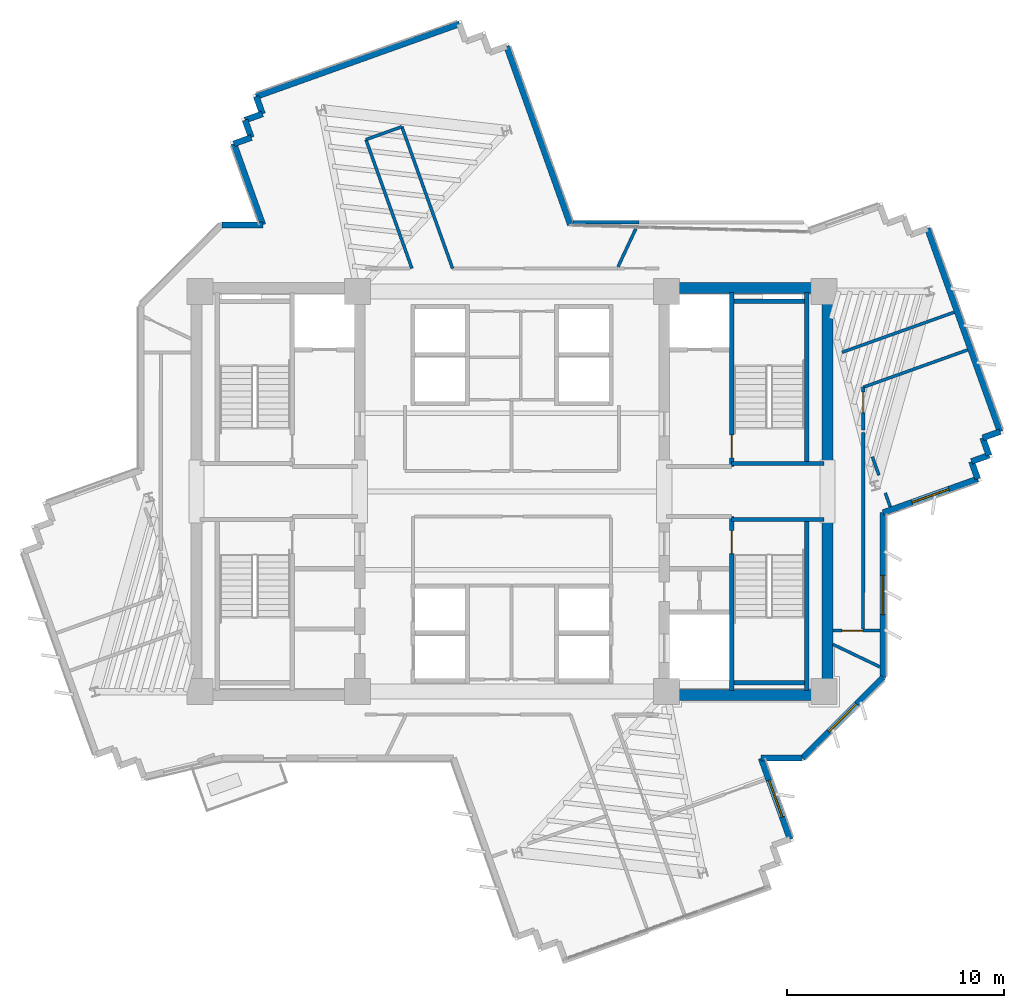
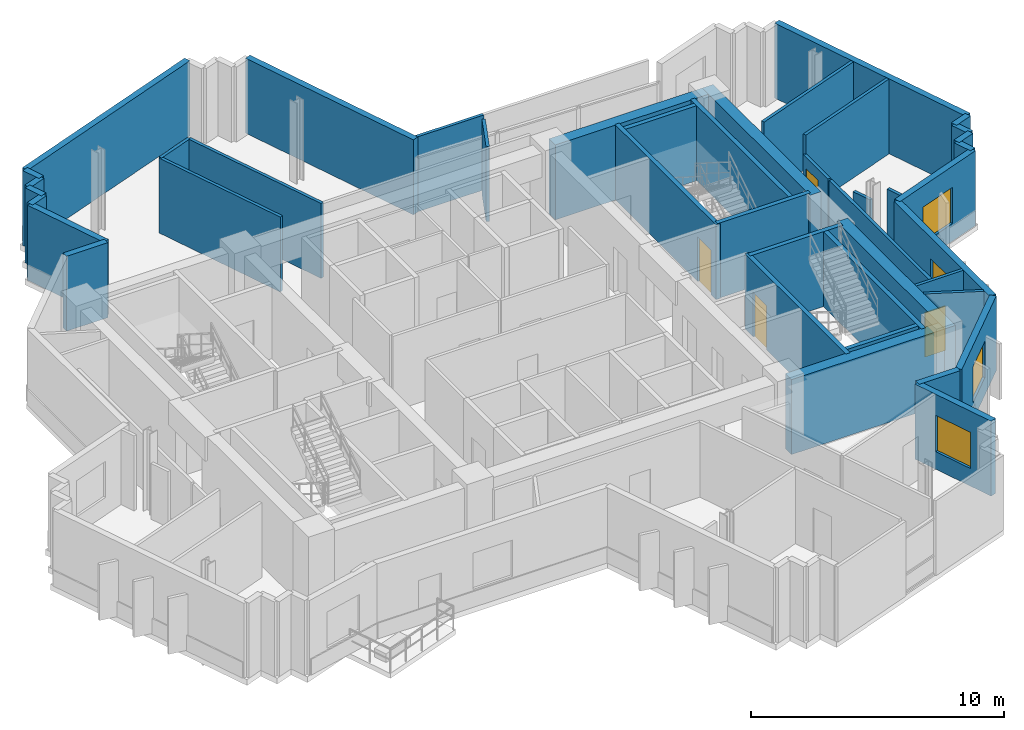
# One storey, part 9 of 13: 43 walls, 4 doors, 4 windows, 8 openings.
"""IFC4 building model written with IfcOpenShell, lengths in metres."""

from ifc_helpers import new_model, si_unit, direction, frame, frame_2d, origin, place, context, subcontext, project, spatial, rectangle, extrude, source, transform, mapped, material, layer, layer_set, type_object, element, fill, save


model = new_model("IFC4")

# Units and contexts
model_context = context("Model", 3, precision=1e-05, world=origin(), true_north=direction((0.0, 1.0)))
body_context = subcontext(model_context, "Body", "Model", "MODEL_VIEW")
ifc_project = project(units=[si_unit("LENGTHUNIT", "METRE"), si_unit("AREAUNIT", "SQUARE_METRE"), si_unit("VOLUMEUNIT", "CUBIC_METRE"), si_unit("PLANEANGLEUNIT", "RADIAN"), si_unit("MASSUNIT", "GRAM", prefix="KILO")], contexts=[model_context])

# Site, building, storey
site_placement = place(None, origin())
site = spatial("IfcSite", under=ifc_project, at=site_placement, CompositionType="ELEMENT")
building_placement = place(site_placement, origin())
building = spatial("IfcBuilding", under=site, at=building_placement, Name="Zahravan Cultural Tower", CompositionType="ELEMENT")
storey_placement = place(building_placement, frame((0.0, 0.0, 221.39990234375)))
storey = spatial("IfcBuildingStorey", under=building, at=storey_placement, Name="L52", CompositionType="ELEMENT", Elevation=221.39990234375)

# Wall, opening, window
ifc_material_1 = material(Name="Precast concrete C40/50", Category="concrete")
ifc_layer_1 = layer(ifc_material_1, 0.280029296875)
ifc_layer_set_1 = layer_set([ifc_layer_1], Name="Precast concrete C40/50")
wall_type_1 = type_object("IfcWallType", Name="EW-TC-280", PredefinedType="SOLIDWALL", material=ifc_layer_set_1)
wall_1_placement = place(storey_placement, frame((57.413818359375, 27.58056640625, 0.0), z_axis=(0.0, 0.0, 1.0), x_axis=(-0.941673795185, -0.336527062004, 0.0)))
wall_1 = element("IfcWall", 1, at=wall_1_placement, inside=storey, type_object=wall_type_1, Name="L52 Exterior Masonry Frame Wall 11", PredefinedType="SOLIDWALL", context=body_context, shape_type="SweptSolid", body=[
    extrude(rectangle(XDim=4.62353515625, YDim=0.280029296875, at=frame_2d((2.311767578125, 0.0))), origin(), (0.0, 0.0, 1.0), 3.6201171875),
])
opening_1_placement = place(wall_1_placement, frame((1.412109375, 0.0, 0.85009765625)))
opening_1 = element("IfcOpeningElement", 2, at=opening_1_placement, cuts=wall_1, Name="Opening WN-02", PredefinedType="OPENING", context=body_context, shape_type="SweptSolid", body=[
    extrude(rectangle(XDim=1.800048828125, YDim=1.75, at=frame_2d((0.89990234375, 0.875))), frame((0.0, 0.14990234375, 0.0), z_axis=(0.0, -1.0, 0.0), x_axis=(1.0, 0.0, 0.0)), (0.0, 0.0, 1.0), 0.300048828125),
])
ifc_material_2 = material(Name="Low-E solar-control double glazing", Category="glass")
window_type = type_object("IfcWindowType", Name="WN-REC-1800X1750", PartitioningType="DOUBLE_PANEL_VERTICAL", PredefinedType="WINDOW", material=ifc_material_2)
shared_shape_1 = source(origin(), body_context, "Body", "SweptSolid", [
    extrude(rectangle(XDim=1.800048828125, YDim=1.75, at=frame_2d((0.89990234375, 0.875))), frame((0.0, 0.030029296875, 0.0), z_axis=(0.0, -1.0, 0.0), x_axis=(1.0, 0.0, 0.0)), (0.0, 0.0, 1.0), 0.06005859375),
])
window_1_placement = place(opening_1_placement, origin())
window_1 = element("IfcWindow", 3, at=window_1_placement, inside=storey, type_object=window_type, Name="L52 Recessed Solar Window 02", OverallHeight=1.75, OverallWidth=1.800048828125, PartitioningType="DOUBLE_PANEL_VERTICAL", PredefinedType="WINDOW", context=body_context, shape_type="MappedRepresentation", body=[
    mapped(shared_shape_1, transform((0.0, 0.0, 0.0), x_axis=(1.0, 0.0, 0.0), y_axis=(0.0, 1.0, 0.0), z_axis=(0.0, 0.0, 1.0), scale=1.0)),
])
fill(opening_1, window_1)

wall_2_placement = place(storey_placement, frame((53.06005859375, 26.024658203125, 0.0), z_axis=(0.0, 0.0, 1.0), x_axis=(0.0, -1.0, 0.0)))
wall_2 = element("IfcWall", 4, at=wall_2_placement, inside=storey, type_object=wall_type_1, Name="L52 Exterior Masonry Frame Wall 12", PredefinedType="SOLIDWALL", context=body_context, shape_type="SweptSolid", body=[
    extrude(rectangle(XDim=7.566650390625, YDim=0.280029296875, at=frame_2d((3.783203125, 0.0))), origin(), (0.0, 0.0, 1.0), 3.6201171875),
])
opening_2_placement = place(wall_2_placement, frame((2.883056640625, 0.0, 0.85009765625)))
opening_2 = element("IfcOpeningElement", 5, at=opening_2_placement, cuts=wall_2, Name="Opening WN-02", PredefinedType="OPENING", context=body_context, shape_type="SweptSolid", body=[
    extrude(rectangle(XDim=1.800048828125, YDim=1.75, at=frame_2d((0.89990234375, 0.875))), frame((0.0, 0.14990234375, 0.0), z_axis=(0.0, -1.0, 0.0), x_axis=(1.0, 0.0, 0.0)), (0.0, 0.0, 1.0), 0.300048828125),
])
window_2_placement = place(opening_2_placement, origin())
window_2 = element("IfcWindow", 6, at=window_2_placement, inside=storey, type_object=window_type, Name="L52 Recessed Solar Window 03", OverallHeight=1.75, OverallWidth=1.800048828125, PartitioningType="DOUBLE_PANEL_VERTICAL", PredefinedType="WINDOW", context=body_context, shape_type="MappedRepresentation", body=[
    mapped(shared_shape_1, transform((0.0, 0.0, 0.0), x_axis=(1.0, 0.0, 0.0), y_axis=(0.0, 1.0, 0.0), z_axis=(0.0, 0.0, 1.0), scale=1.0)),
])
fill(opening_2, window_2)

wall_3_placement = place(storey_placement, frame((53.06005859375, 18.4580078125, 0.0), z_axis=(0.0, 0.0, 1.0), x_axis=(-0.707106781187, -0.707106781187, 0.0)))
wall_3 = element("IfcWall", 7, at=wall_3_placement, inside=storey, type_object=wall_type_1, Name="L52 Exterior Masonry Frame Wall 13", PredefinedType="SOLIDWALL", context=body_context, shape_type="SweptSolid", body=[
    extrude(rectangle(XDim=5.258056640625, YDim=0.280029296875, at=frame_2d((2.62890625, 0.0))), origin(), (0.0, 0.0, 1.0), 3.6201171875),
])
opening_3_placement = place(wall_3_placement, frame((1.72900390625, 0.0, 0.85009765625)))
opening_3 = element("IfcOpeningElement", 8, at=opening_3_placement, cuts=wall_3, Name="Opening WN-02", PredefinedType="OPENING", context=body_context, shape_type="SweptSolid", body=[
    extrude(rectangle(XDim=1.800048828125, YDim=1.75, at=frame_2d((0.89990234375, 0.875))), frame((0.0, 0.14990234375, 0.0), z_axis=(0.0, -1.0, 0.0), x_axis=(1.0, 0.0, 0.0)), (0.0, 0.0, 1.0), 0.300048828125),
])
window_3_placement = place(opening_3_placement, origin())
window_3 = element("IfcWindow", 9, at=window_3_placement, inside=storey, type_object=window_type, Name="L52 Recessed Solar Window 04", OverallHeight=1.75, OverallWidth=1.800048828125, PartitioningType="DOUBLE_PANEL_VERTICAL", PredefinedType="WINDOW", context=body_context, shape_type="MappedRepresentation", body=[
    mapped(shared_shape_1, transform((0.0, 0.0, 0.0), x_axis=(1.0, 0.0, 0.0), y_axis=(0.0, 1.0, 0.0), z_axis=(0.0, 0.0, 1.0), scale=1.0)),
])
fill(opening_3, window_3)

wall_4_placement = place(storey_placement, frame((47.4541015625, 14.739990234375, 0.0), z_axis=(0.0, 0.0, 1.0), x_axis=(0.336590223561, -0.941651220677, 0.0)))
wall_4 = element("IfcWall", 10, at=wall_4_placement, inside=storey, type_object=wall_type_1, Name="L52 Exterior Masonry Frame Wall 15", PredefinedType="SOLIDWALL", context=body_context, shape_type="SweptSolid", body=[
    extrude(rectangle(XDim=3.96044921875, YDim=0.280029296875, at=frame_2d((1.980224609375, 0.0))), origin(), (0.0, 0.0, 1.0), 3.6201171875),
])
opening_4_placement = place(wall_4_placement, frame((1.080078125, 0.0, 0.85009765625)))
opening_4 = element("IfcOpeningElement", 11, at=opening_4_placement, cuts=wall_4, Name="Opening WN-02", PredefinedType="OPENING", context=body_context, shape_type="SweptSolid", body=[
    extrude(rectangle(XDim=1.800048828125, YDim=1.75, at=frame_2d((0.89990234375, 0.875))), frame((0.0, 0.14990234375, 0.0), z_axis=(0.0, -1.0, 0.0), x_axis=(1.0, 0.0, 0.0)), (0.0, 0.0, 1.0), 0.300048828125),
])
window_4_placement = place(opening_4_placement, origin())
window_4 = element("IfcWindow", 12, at=window_4_placement, inside=storey, type_object=window_type, Name="L52 Recessed Solar Window 05", OverallHeight=1.75, OverallWidth=1.800048828125, PartitioningType="DOUBLE_PANEL_VERTICAL", PredefinedType="WINDOW", context=body_context, shape_type="MappedRepresentation", body=[
    mapped(shared_shape_1, transform((0.0, 0.0, 0.0), x_axis=(1.0, 0.0, 0.0), y_axis=(0.0, 1.0, 0.0), z_axis=(0.0, 0.0, 1.0), scale=1.0)),
])
fill(opening_4, window_4)

# Wall, opening, door
ifc_material_3 = material(Name="Gypsum plasterboard partition")
ifc_layer_2 = layer(ifc_material_3, 0.139892578125)
ifc_layer_set_2 = layer_set([ifc_layer_2], Name="Gypsum plasterboard partition")
wall_type_2 = type_object("IfcWallType", Name="W-PART-140", PredefinedType="PARTITIONING", material=ifc_layer_set_2)
wall_5_placement = place(storey_placement, frame((50.7548828125, 20.60009765625, 0.0), z_axis=(0.0, 0.0, 1.0), x_axis=(0.999994277874, 0.003382930575, 0.0)))
wall_5 = element("IfcWall", 13, at=wall_5_placement, inside=storey, type_object=wall_type_2, Name="L52 Interior Wall 073", PredefinedType="PARTITIONING", context=body_context, shape_type="SweptSolid", body=[
    extrude(rectangle(XDim=2.1650390625, YDim=0.139892578125, at=frame_2d((1.08251953125, 0.0))), origin(), (0.0, 0.0, 1.0), 3.6201171875),
])
opening_5_placement = place(wall_5_placement, frame((0.42529296875, 0.0, 0.0)))
opening_5 = element("IfcOpeningElement", 14, at=opening_5_placement, cuts=wall_5, Name="Opening D-L52-20", PredefinedType="OPENING", context=body_context, shape_type="SweptSolid", body=[
    extrude(rectangle(XDim=0.949951171875, YDim=2.14990234375, at=frame_2d((0.47509765625, 1.074951171875))), frame((0.0, 0.079833984375, 0.0), z_axis=(0.0, -1.0, 0.0), x_axis=(1.0, 0.0, 0.0)), (0.0, 0.0, 1.0), 0.159912109375),
])
ifc_material_4 = material(Name="Anodised bronze-aluminium mullion", Category="aluminium")
door_type_1 = type_object("IfcDoorType", Name="DR-ROOM-950", OperationType="NOTDEFINED", PredefinedType="DOOR", material=ifc_material_4)
shared_shape_2 = source(origin(), body_context, "Body", "SweptSolid", [
    extrude(rectangle(XDim=0.949951171875, YDim=2.14990234375, at=frame_2d((0.47509765625, 1.074951171875))), frame((0.0, 0.02490234375, 0.0), z_axis=(0.0, -1.0, 0.0), x_axis=(1.0, 0.0, 0.0)), (0.0, 0.0, 1.0), 0.050048828125),
])
door_1_placement = place(opening_5_placement, origin())
door_1 = element("IfcDoor", 15, at=door_1_placement, inside=storey, type_object=door_type_1, Name="L52 Door D-L52-20", OperationType="SINGLE_SWING_LEFT", OverallHeight=2.14990234375, OverallWidth=0.949951171875, PredefinedType="DOOR", context=body_context, shape_type="MappedRepresentation", body=[
    mapped(shared_shape_2, transform((0.0, 0.0, 0.0), x_axis=(1.0, 0.0, 0.0), y_axis=(0.0, 1.0, 0.0), z_axis=(0.0, 0.0, 1.0), scale=1.0)),
])
fill(opening_5, door_1)

wall_6_placement = place(storey_placement, frame((52.14990234375, 29.8291015625, 0.0), z_axis=(0.0, 0.0, 1.0), x_axis=(0.0, 1.0, 0.0)))
wall_6 = element("IfcWall", 16, at=wall_6_placement, inside=storey, type_object=wall_type_2, Name="L52 Interior Wall 093", PredefinedType="PARTITIONING", context=body_context, shape_type="SweptSolid", body=[
    extrude(rectangle(XDim=1.9658203125, YDim=0.139892578125, at=frame_2d((0.98291015625, 0.0))), origin(), (0.0, 0.0, 1.0), 2.693115234375),
])
opening_6_placement = place(wall_6_placement, frame((0.79248046875, 0.0, 0.0)))
opening_6 = element("IfcOpeningElement", 17, at=opening_6_placement, cuts=wall_6, Name="Opening D-L52-21", PredefinedType="OPENING", context=body_context, shape_type="SweptSolid", body=[
    extrude(rectangle(XDim=0.949951171875, YDim=2.14990234375, at=frame_2d((0.47509765625, 1.074951171875))), frame((0.0, 0.079833984375, 0.0), z_axis=(0.0, -1.0, 0.0), x_axis=(1.0, 0.0, 0.0)), (0.0, 0.0, 1.0), 0.159912109375),
])
door_2_placement = place(opening_6_placement, origin())
door_2 = element("IfcDoor", 18, at=door_2_placement, inside=storey, type_object=door_type_1, Name="L52 Door D-L52-21", OperationType="SINGLE_SWING_RIGHT", OverallHeight=2.14990234375, OverallWidth=0.949951171875, PredefinedType="DOOR", context=body_context, shape_type="MappedRepresentation", body=[
    mapped(shared_shape_2, transform((0.0, 0.0, 0.0), x_axis=(1.0, 0.0, 0.0), y_axis=(0.0, 1.0, 0.0), z_axis=(0.0, 0.0, 1.0), scale=1.0)),
])
fill(opening_6, door_2)

ifc_material_5 = material(Name="Concrete C45/55", Category="concrete")
ifc_layer_3 = layer(ifc_material_5, 0.199951171875)
ifc_layer_set_3 = layer_set([ifc_layer_3], Name="Concrete C45/55")
wall_type_3 = type_object("IfcWallType", Name="W-SHAFT-200", PredefinedType="SOLIDWALL", material=ifc_layer_set_3)
wall_7_placement = place(storey_placement, frame((46.10009765625, 17.85009765625, 0.0), z_axis=(0.0, 0.0, 1.0), x_axis=(0.0, 1.0, 0.0)))
wall_7 = element("IfcWall", 19, at=wall_7_placement, inside=storey, type_object=wall_type_3, Name="L52 Interior Wall 007", PredefinedType="SOLIDWALL", context=body_context, shape_type="SweptSolid", body=[
    extrude(rectangle(XDim=8.0, YDim=0.199951171875, at=frame_2d((4.0, 0.0))), origin(), (0.0, 0.0, 1.0), 3.6201171875),
])
opening_7_placement = place(wall_7_placement, frame((6.300048828125, 0.0, 0.0)))
opening_7 = element("IfcOpeningElement", 20, at=opening_7_placement, cuts=wall_7, Name="Opening D-L52-03", PredefinedType="OPENING", context=body_context, shape_type="SweptSolid", body=[
    extrude(rectangle(XDim=1.050048828125, YDim=2.14990234375, at=frame_2d((0.52490234375, 1.074951171875))), frame((0.0, 0.10986328125, 0.0), z_axis=(0.0, -1.0, 0.0), x_axis=(1.0, 0.0, 0.0)), (0.0, 0.0, 1.0), 0.219970703125),
])
ifc_material_6 = material(Name="Steel ASTM A572 Grade 50", Category="steel")
door_type_2 = type_object("IfcDoorType", Name="DR-STAIR-1050", OperationType="NOTDEFINED", PredefinedType="DOOR", material=ifc_material_6)
shared_shape_3 = source(origin(), body_context, "Body", "SweptSolid", [
    extrude(rectangle(XDim=1.050048828125, YDim=2.14990234375, at=frame_2d((0.52490234375, 1.074951171875))), frame((0.0, 0.02490234375, 0.0), z_axis=(0.0, -1.0, 0.0), x_axis=(1.0, 0.0, 0.0)), (0.0, 0.0, 1.0), 0.050048828125),
])
door_3_placement = place(opening_7_placement, origin())
door_3 = element("IfcDoor", 21, at=door_3_placement, inside=storey, type_object=door_type_2, Name="L52 Door D-L52-03", OperationType="SINGLE_SWING_RIGHT", OverallHeight=2.14990234375, OverallWidth=1.050048828125, PredefinedType="DOOR", context=body_context, shape_type="MappedRepresentation", body=[
    mapped(shared_shape_3, transform((0.0, 0.0, 0.0), x_axis=(1.0, 0.0, 0.0), y_axis=(0.0, 1.0, 0.0), z_axis=(0.0, 0.0, 1.0), scale=1.0)),
])
fill(opening_7, door_3)

wall_8_placement = place(storey_placement, frame((46.10009765625, 28.14990234375, 0.0), z_axis=(0.0, 0.0, 1.0), x_axis=(0.0, 1.0, 0.0)))
wall_8 = element("IfcWall", 22, at=wall_8_placement, inside=storey, type_object=wall_type_3, Name="L52 Interior Wall 008", PredefinedType="SOLIDWALL", context=body_context, shape_type="SweptSolid", body=[
    extrude(rectangle(XDim=8.0, YDim=0.199951171875, at=frame_2d((4.0, 0.0))), origin(), (0.0, 0.0, 1.0), 3.6201171875),
])
opening_8_placement = place(wall_8_placement, frame((0.39990234375, 0.0, 0.0)))
opening_8 = element("IfcOpeningElement", 23, at=opening_8_placement, cuts=wall_8, Name="Opening D-L52-02", PredefinedType="OPENING", context=body_context, shape_type="SweptSolid", body=[
    extrude(rectangle(XDim=1.050048828125, YDim=2.14990234375, at=frame_2d((0.52490234375, 1.074951171875))), frame((0.0, 0.10986328125, 0.0), z_axis=(0.0, -1.0, 0.0), x_axis=(1.0, 0.0, 0.0)), (0.0, 0.0, 1.0), 0.219970703125),
])
door_4_placement = place(opening_8_placement, origin())
door_4 = element("IfcDoor", 24, at=door_4_placement, inside=storey, type_object=door_type_2, Name="L52 Door D-L52-02", OperationType="SINGLE_SWING_LEFT", OverallHeight=2.14990234375, OverallWidth=1.050048828125, PredefinedType="DOOR", context=body_context, shape_type="MappedRepresentation", body=[
    mapped(shared_shape_3, transform((0.0, 0.0, 0.0), x_axis=(1.0, 0.0, 0.0), y_axis=(0.0, 1.0, 0.0), z_axis=(0.0, 0.0, 1.0), scale=1.0)),
])
fill(opening_8, door_4)

# Walls
ifc_material_7 = material(Name="Concrete C60/75", Category="concrete")
ifc_layer_4 = layer(ifc_material_7, 0.5)
ifc_layer_set_4 = layer_set([ifc_layer_4], Name="Concrete C60/75")
wall_type_4 = type_object("IfcWallType", Name="CW-SHEAR-500-C60", PredefinedType="SHEAR", material=ifc_layer_set_4)
shared_shape_4 = source(origin(), body_context, "Body", "SweptSolid", [
    extrude(rectangle(XDim=8.550048828125, YDim=0.5, at=frame_2d((4.27490234375, 0.0))), origin(), (0.0, 0.0, 1.0), 3.6201171875),
])
for number, where, z_axis, x_axis, name in (
    (25, (50.5, 17.39990234375, 0.0), (0.0, 0.0, 1.0), (0.0, 1.0, 0.0), "L52 Core Shear Wall CW-E-ES-L52"),
    (26, (50.5, 28.050048828125, 0.0), (0.0, 0.0, 1.0), (0.0, 1.0, 0.0), "L52 Core Shear Wall CW-E-EN-L52"),
):
    element("IfcWall", number, at=place(storey_placement, frame(where, z_axis=z_axis, x_axis=x_axis)), inside=storey, type_object=wall_type_4, Name=name, PredefinedType="SHEAR", context=body_context, shape_type="MappedRepresentation", body=[
        mapped(shared_shape_4, transform((0.0, 0.0, 0.0), x_axis=(1.0, 0.0, 0.0), y_axis=(0.0, 1.0, 0.0), z_axis=(0.0, 0.0, 1.0), scale=1.0)),
    ])
shared_shape_5 = source(origin(), body_context, "Body", "SweptSolid", [
    extrude(rectangle(XDim=7.0, YDim=0.5, at=frame_2d((3.5, 0.0))), origin(), (0.0, 0.0, 1.0), 3.6201171875),
])
for number, where, z_axis, x_axis, name in (
    (27, (43.25, 17.64990234375, 0.0), (0.0, 0.0, 1.0), (1.0, 0.0, 0.0), "L52 Core Shear Wall CW-E-S-L52"),
    (28, (43.25, 36.35009765625, 0.0), (0.0, 0.0, 1.0), (1.0, 0.0, 0.0), "L52 Core Shear Wall CW-E-N-L52"),
):
    element("IfcWall", number, at=place(storey_placement, frame(where, z_axis=z_axis, x_axis=x_axis)), inside=storey, type_object=wall_type_4, Name=name, PredefinedType="SHEAR", context=body_context, shape_type="MappedRepresentation", body=[
        mapped(shared_shape_5, transform((0.0, 0.0, 0.0), x_axis=(1.0, 0.0, 0.0), y_axis=(0.0, 1.0, 0.0), z_axis=(0.0, 0.0, 1.0), scale=1.0)),
    ])
shared_shape_6 = source(origin(), body_context, "Body", "SweptSolid", [
    extrude(rectangle(XDim=0.85009765625, YDim=0.280029296875, at=frame_2d((0.425048828125, 0.0))), origin(), (0.0, 0.0, 1.0), 3.6201171875),
])
for number, where, z_axis, x_axis, name in (
    (29, (57.64208984375, 29.467529296875, 0.0), (0.0, 0.0, 1.0), (0.336318202891, -0.941748409292, 0.0), "L52 Exterior Masonry Frame Wall 08"),
    (30, (57.127685546875, 28.381103515625, 0.0), (0.0, 0.0, 1.0), (0.336572886112, -0.941657417713, 0.0), "L52 Exterior Masonry Frame Wall 10"),
    (31, (23.212890625, 42.9892578125, 0.0), (0.0, 0.0, 1.0), (0.941657417713, 0.336572886112, 0.0), "L52 Exterior Masonry Frame Wall 41"),
):
    element("IfcWall", number, at=place(storey_placement, frame(where, z_axis=z_axis, x_axis=x_axis)), inside=storey, type_object=wall_type_1, Name=name, PredefinedType="SOLIDWALL", context=body_context, shape_type="MappedRepresentation", body=[
        mapped(shared_shape_6, transform((0.0, 0.0, 0.0), x_axis=(1.0, 0.0, 0.0), y_axis=(0.0, 1.0, 0.0), z_axis=(0.0, 0.0, 1.0), scale=1.0)),
    ])
shared_shape_7 = source(origin(), body_context, "Body", "SweptSolid", [
    extrude(rectangle(XDim=0.849853515625, YDim=0.280029296875, at=frame_2d((0.4248046875, 0.0))), origin(), (0.0, 0.0, 1.0), 3.6201171875),
])
for number, where, z_axis, x_axis, name in (
    (32, (58.4423828125, 29.753662109375, 0.0), (0.0, 0.0, 1.0), (-0.941624872587, -0.33666392638, 0.0), "L52 Exterior Masonry Frame Wall 07"),
    (33, (57.927978515625, 28.6669921875, 0.0), (0.0, 0.0, 1.0), (-0.941715910258, -0.336409191858, 0.0), "L52 Exterior Masonry Frame Wall 09"),
    (34, (24.013427734375, 43.275390625, 0.0), (0.0, 0.0, 1.0), (-0.33666392638, 0.941624872587, 0.0), "L52 Exterior Masonry Frame Wall 42"),
    (35, (23.727294921875, 44.07568359375, 0.0), (0.0, 0.0, 1.0), (0.941624872587, 0.33666392638, 0.0), "L52 Exterior Masonry Frame Wall 43"),
    (36, (24.527587890625, 44.36181640625, 0.0), (0.0, 0.0, 1.0), (-0.336409191858, 0.941715910258, 0.0), "L52 Exterior Masonry Frame Wall 44"),
):
    element("IfcWall", number, at=place(storey_placement, frame(where, z_axis=z_axis, x_axis=x_axis)), inside=storey, type_object=wall_type_1, Name=name, PredefinedType="SOLIDWALL", context=body_context, shape_type="MappedRepresentation", body=[
        mapped(shared_shape_7, transform((0.0, 0.0, 0.0), x_axis=(1.0, 0.0, 0.0), y_axis=(0.0, 1.0, 0.0), z_axis=(0.0, 0.0, 1.0), scale=1.0)),
    ])
shared_shape_8 = source(origin(), body_context, "Body", "SweptSolid", [
    extrude(rectangle(XDim=9.919921875, YDim=0.280029296875, at=frame_2d((4.9599609375, 0.0))), origin(), (0.0, 0.0, 1.0), 3.6201171875),
])
for number, where, z_axis, x_axis, name in (
    (37, (55.10400390625, 39.094970703125, 0.0), (0.0, 0.0, 1.0), (0.336532833412, -0.941671732631, 0.0), "L52 Exterior Masonry Frame Wall 06"),
    (38, (24.24169921875, 45.162109375, 0.0), (0.0, 0.0, 1.0), (0.941663933085, 0.336554656969, 0.0), "L52 Exterior Masonry Frame Wall 45"),
):
    element("IfcWall", number, at=place(storey_placement, frame(where, z_axis=z_axis, x_axis=x_axis)), inside=storey, type_object=wall_type_1, Name=name, PredefinedType="SOLIDWALL", context=body_context, shape_type="MappedRepresentation", body=[
        mapped(shared_shape_8, transform((0.0, 0.0, 0.0), x_axis=(1.0, 0.0, 0.0), y_axis=(0.0, 1.0, 0.0), z_axis=(0.0, 0.0, 1.0), scale=1.0)),
    ])
shared_shape_9 = source(origin(), body_context, "Body", "SweptSolid", [
    extrude(rectangle(XDim=1.887939453125, YDim=0.280029296875, at=frame_2d((0.94384765625, 0.0))), origin(), (0.0, 0.0, 1.0), 3.6201171875),
])
for number, where, z_axis, x_axis, name in (
    (39, (49.342041015625, 14.739990234375, 0.0), (0.0, 0.0, 1.0), (-1.0, 0.0, 0.0), "L52 Exterior Masonry Frame Wall 14"),
    (40, (22.657958984375, 39.260009765625, 0.0), (0.0, 0.0, 1.0), (1.0, 0.0, 0.0), "L52 Exterior Masonry Frame Wall 39"),
):
    element("IfcWall", number, at=place(storey_placement, frame(where, z_axis=z_axis, x_axis=x_axis)), inside=storey, type_object=wall_type_1, Name=name, PredefinedType="SOLIDWALL", context=body_context, shape_type="MappedRepresentation", body=[
        mapped(shared_shape_9, transform((0.0, 0.0, 0.0), x_axis=(1.0, 0.0, 0.0), y_axis=(0.0, 1.0, 0.0), z_axis=(0.0, 0.0, 1.0), scale=1.0)),
    ])
shared_shape_10 = source(origin(), body_context, "Body", "SweptSolid", [
    extrude(rectangle(XDim=8.720947265625, YDim=0.280029296875, at=frame_2d((4.3603515625, 0.0))), origin(), (0.0, 0.0, 1.0), 3.6201171875),
])
wall_9_placement = place(storey_placement, frame((35.755859375, 47.47216796875, 0.0), z_axis=(0.0, 0.0, 1.0), x_axis=(0.336554520074, -0.941663982011, 0.0)))
element("IfcWall", 41, at=wall_9_placement, inside=storey, type_object=wall_type_1, Name="L52 Exterior Masonry Frame Wall 50", PredefinedType="SOLIDWALL", context=body_context, shape_type="MappedRepresentation", body=[
    mapped(shared_shape_10, transform((0.0, 0.0, 0.0), x_axis=(1.0, 0.0, 0.0), y_axis=(0.0, 1.0, 0.0), z_axis=(0.0, 0.0, 1.0), scale=1.0)),
])
shared_shape_11 = source(origin(), body_context, "Body", "SweptSolid", [
    extrude(rectangle(XDim=3.96044921875, YDim=0.280029296875, at=frame_2d((1.980224609375, 0.0))), origin(), (0.0, 0.0, 1.0), 3.6201171875),
])
wall_10_placement = place(storey_placement, frame((24.5458984375, 39.260009765625, 0.0), z_axis=(0.0, 0.0, 1.0), x_axis=(-0.336590223561, 0.941651220677, 0.0)))
element("IfcWall", 42, at=wall_10_placement, inside=storey, type_object=wall_type_1, Name="L52 Exterior Masonry Frame Wall 40", PredefinedType="SOLIDWALL", context=body_context, shape_type="MappedRepresentation", body=[
    mapped(shared_shape_11, transform((0.0, 0.0, 0.0), x_axis=(1.0, 0.0, 0.0), y_axis=(0.0, 1.0, 0.0), z_axis=(0.0, 0.0, 1.0), scale=1.0)),
])
shared_shape_12 = source(origin(), body_context, "Body", "SweptSolid", [
    extrude(rectangle(XDim=7.869873046875, YDim=0.199951171875, at=frame_2d((3.93505859375, 0.0))), origin(), (0.0, 0.0, 1.0), 3.6201171875),
])
for number, where, z_axis, x_axis, name in (
    (43, (49.550048828125, 17.85009765625, 0.0), (0.0, 0.0, 1.0), (0.0, 1.0, 0.0), "L52 Interior Wall 003"),
    (44, (49.550048828125, 28.280029296875, 0.0), (0.0, 0.0, 1.0), (0.0, 1.0, 0.0), "L52 Interior Wall 004"),
):
    element("IfcWall", number, at=place(storey_placement, frame(where, z_axis=z_axis, x_axis=x_axis)), inside=storey, type_object=wall_type_3, Name=name, PredefinedType="SOLIDWALL", context=body_context, shape_type="MappedRepresentation", body=[
        mapped(shared_shape_12, transform((0.0, 0.0, 0.0), x_axis=(1.0, 0.0, 0.0), y_axis=(0.0, 1.0, 0.0), z_axis=(0.0, 0.0, 1.0), scale=1.0)),
    ])
shared_shape_13 = source(origin(), body_context, "Body", "SweptSolid", [
    extrude(rectangle(XDim=4.25, YDim=0.199951171875, at=frame_2d((2.125, 0.0))), origin(), (0.0, 0.0, 1.0), 3.6201171875),
])
for number, where, z_axis, x_axis, name in (
    (45, (46.10009765625, 25.715087890625, 0.0), (0.0, 0.0, 1.0), (1.0, 0.0, 0.0), "L52 Interior Wall 014"),
    (46, (46.10009765625, 28.284912109375, 0.0), (0.0, 0.0, 1.0), (1.0, 0.0, 0.0), "L52 Interior Wall 016"),
):
    element("IfcWall", number, at=place(storey_placement, frame(where, z_axis=z_axis, x_axis=x_axis)), inside=storey, type_object=wall_type_3, Name=name, PredefinedType="SOLIDWALL", context=body_context, shape_type="MappedRepresentation", body=[
        mapped(shared_shape_13, transform((0.0, 0.0, 0.0), x_axis=(1.0, 0.0, 0.0), y_axis=(0.0, 1.0, 0.0), z_axis=(0.0, 0.0, 1.0), scale=1.0)),
    ])
shared_shape_14 = source(origin(), body_context, "Body", "SweptSolid", [
    extrude(rectangle(XDim=3.25, YDim=0.199951171875, at=frame_2d((1.625, 0.0))), origin(), (0.0, 0.0, 1.0), 3.6201171875),
])
for number, where, z_axis, x_axis, name in (
    (47, (46.199951171875, 35.75, 0.0), (0.0, 0.0, 1.0), (1.0, 0.0, 0.0), "L52 Interior Wall 018"),
    (48, (46.199951171875, 18.199951171875, 0.0), (0.0, 0.0, 1.0), (1.0, 0.0, 0.0), "L52 Interior Wall 020"),
):
    element("IfcWall", number, at=place(storey_placement, frame(where, z_axis=z_axis, x_axis=x_axis)), inside=storey, type_object=wall_type_3, Name=name, PredefinedType="SOLIDWALL", context=body_context, shape_type="MappedRepresentation", body=[
        mapped(shared_shape_14, transform((0.0, 0.0, 0.0), x_axis=(1.0, 0.0, 0.0), y_axis=(0.0, 1.0, 0.0), z_axis=(0.0, 0.0, 1.0), scale=1.0)),
    ])
shared_shape_15 = source(origin(), body_context, "Body", "SweptSolid", [
    extrude(rectangle(XDim=9.037841796875, YDim=0.139892578125, at=frame_2d((4.51904296875, 0.0))), origin(), (0.0, 0.0, 1.0), 2.693115234375),
])
wall_11_placement = place(storey_placement, frame((52.148681640625, 20.6796875, 0.0), z_axis=(0.0, 0.0, 1.0), x_axis=(0.000135065776, 0.999999990879, 0.0)))
element("IfcWall", 49, at=wall_11_placement, inside=storey, type_object=wall_type_2, Name="L52 Interior Wall 074", PredefinedType="PARTITIONING", context=body_context, shape_type="MappedRepresentation", body=[
    mapped(shared_shape_15, transform((0.0, 0.0, 0.0), x_axis=(1.0, 0.0, 0.0), y_axis=(0.0, 1.0, 0.0), z_axis=(0.0, 0.0, 1.0), scale=1.0)),
])
shared_shape_16 = source(origin(), body_context, "Body", "SweptSolid", [
    extrude(rectangle(XDim=0.89599609375, YDim=0.139892578125, at=frame_2d((0.447998046875, 0.0))), origin(), (0.0, 0.0, 1.0), 2.693115234375),
])
wall_12_placement = place(storey_placement, frame((52.56982421875, 28.5947265625, 0.0), z_axis=(0.0, 0.0, 1.0), x_axis=(0.336509001165, -0.941680249413, 0.0)))
element("IfcWall", 50, at=wall_12_placement, inside=storey, type_object=wall_type_2, Name="L52 Interior Wall 075", PredefinedType="PARTITIONING", context=body_context, shape_type="MappedRepresentation", body=[
    mapped(shared_shape_16, transform((0.0, 0.0, 0.0), x_axis=(1.0, 0.0, 0.0), y_axis=(0.0, 1.0, 0.0), z_axis=(0.0, 0.0, 1.0), scale=1.0)),
])
shared_shape_17 = source(origin(), body_context, "Body", "SweptSolid", [
    extrude(rectangle(XDim=0.673828125, YDim=0.139892578125, at=frame_2d((0.3369140625, 0.0))), origin(), (0.0, 0.0, 1.0), 3.6201171875),
])
wall_13_placement = place(storey_placement, frame((53.164306640625, 26.931396484375, 0.0), z_axis=(0.0, 0.0, 1.0), x_axis=(0.336588856473, -0.941651709337, 0.0)))
element("IfcWall", 51, at=wall_13_placement, inside=storey, type_object=wall_type_2, Name="L52 Interior Wall 076", PredefinedType="PARTITIONING", context=body_context, shape_type="MappedRepresentation", body=[
    mapped(shared_shape_17, transform((0.0, 0.0, 0.0), x_axis=(1.0, 0.0, 0.0), y_axis=(0.0, 1.0, 0.0), z_axis=(0.0, 0.0, 1.0), scale=1.0)),
])
shared_shape_18 = source(origin(), body_context, "Body", "SweptSolid", [
    extrude(rectangle(XDim=2.395263671875, YDim=0.139892578125, at=frame_2d((1.19775390625, 0.0))), origin(), (0.0, 0.0, 1.0), 3.6201171875),
])
wall_14_placement = place(storey_placement, frame((52.9150390625, 18.937255859375, 0.0), z_axis=(0.0, 0.0, 1.0), x_axis=(-0.90180278892, 0.432147810242, 0.0)))
element("IfcWall", 52, at=wall_14_placement, inside=storey, type_object=wall_type_2, Name="L52 Interior Wall 077", PredefinedType="PARTITIONING", context=body_context, shape_type="MappedRepresentation", body=[
    mapped(shared_shape_18, transform((0.0, 0.0, 0.0), x_axis=(1.0, 0.0, 0.0), y_axis=(0.0, 1.0, 0.0), z_axis=(0.0, 0.0, 1.0), scale=1.0)),
])
shared_shape_19 = source(origin(), body_context, "Body", "SweptSolid", [
    extrude(rectangle(XDim=5.09326171875, YDim=0.139892578125, at=frame_2d((2.546630859375, 0.0))), origin(), (0.0, 0.0, 1.0), 3.6201171875),
])
wall_15_placement = place(storey_placement, frame((52.150146484375, 31.794921875, 0.0), z_axis=(0.0, 0.0, 1.0), x_axis=(0.941667058904, 0.336545910947, 0.0)))
element("IfcWall", 53, at=wall_15_placement, inside=storey, type_object=wall_type_2, Name="L52 Interior Wall 094", PredefinedType="PARTITIONING", context=body_context, shape_type="MappedRepresentation", body=[
    mapped(shared_shape_19, transform((0.0, 0.0, 0.0), x_axis=(1.0, 0.0, 0.0), y_axis=(0.0, 1.0, 0.0), z_axis=(0.0, 0.0, 1.0), scale=1.0)),
])
shared_shape_20 = source(origin(), body_context, "Body", "SweptSolid", [
    extrude(rectangle(XDim=1.926513671875, YDim=0.139892578125, at=frame_2d((0.96337890625, 0.0))), origin(), (0.0, 0.0, 1.0), 3.6201171875),
])
wall_16_placement = place(storey_placement, frame((40.875732421875, 37.335205078125, 0.0), z_axis=(0.0, 0.0, 1.0), x_axis=(0.42364150529, 0.905829937127, 0.0)))
element("IfcWall", 54, at=wall_16_placement, inside=storey, type_object=wall_type_2, Name="L52 Interior Wall 103", PredefinedType="PARTITIONING", context=body_context, shape_type="MappedRepresentation", body=[
    mapped(shared_shape_20, transform((0.0, 0.0, 0.0), x_axis=(1.0, 0.0, 0.0), y_axis=(0.0, 1.0, 0.0), z_axis=(0.0, 0.0, 1.0), scale=1.0)),
])
shared_shape_21 = source(origin(), body_context, "Body", "SweptSolid", [
    extrude(rectangle(XDim=5.47265625, YDim=0.139892578125, at=frame_2d((2.736328125, 0.0))), origin(), (0.0, 0.0, 1.0), 3.6201171875),
])
wall_17_placement = place(storey_placement, frame((56.326904296875, 35.24169921875, 0.0), z_axis=(0.0, 0.0, 1.0), x_axis=(-0.941665179086, -0.336551170695, 0.0)))
element("IfcWall", 55, at=wall_17_placement, inside=storey, type_object=wall_type_2, Name="L52 Interior Wall 105", PredefinedType="PARTITIONING", context=body_context, shape_type="MappedRepresentation", body=[
    mapped(shared_shape_21, transform((0.0, 0.0, 0.0), x_axis=(1.0, 0.0, 0.0), y_axis=(0.0, 1.0, 0.0), z_axis=(0.0, 0.0, 1.0), scale=1.0)),
])
shared_shape_22 = source(origin(), body_context, "Body", "SweptSolid", [
    extrude(rectangle(XDim=6.91796875, YDim=0.139892578125, at=frame_2d((3.458984375, 0.0))), origin(), (0.0, 0.0, 1.0), 3.6201171875),
])
wall_18_placement = place(storey_placement, frame((33.267578125, 37.260009765625, 0.0), z_axis=(0.0, 0.0, 1.0), x_axis=(-0.337208154994, 0.94143011435, 0.0)))
element("IfcWall", 56, at=wall_18_placement, inside=storey, type_object=wall_type_2, Name="L52 Interior Wall 110", PredefinedType="PARTITIONING", context=body_context, shape_type="MappedRepresentation", body=[
    mapped(shared_shape_22, transform((0.0, 0.0, 0.0), x_axis=(1.0, 0.0, 0.0), y_axis=(0.0, 1.0, 0.0), z_axis=(0.0, 0.0, 1.0), scale=1.0)),
])
shared_shape_23 = source(origin(), body_context, "Body", "SweptSolid", [
    extrude(rectangle(XDim=1.752685546875, YDim=0.139892578125, at=frame_2d((0.87646484375, 0.0))), origin(), (0.0, 0.0, 1.0), 3.6201171875),
])
wall_19_placement = place(storey_placement, frame((30.934814453125, 43.772705078125, 0.0), z_axis=(0.0, 0.0, 1.0), x_axis=(-0.941413691232, -0.337254002142, 0.0)))
element("IfcWall", 57, at=wall_19_placement, inside=storey, type_object=wall_type_2, Name="L52 Interior Wall 111", PredefinedType="PARTITIONING", context=body_context, shape_type="MappedRepresentation", body=[
    mapped(shared_shape_23, transform((0.0, 0.0, 0.0), x_axis=(1.0, 0.0, 0.0), y_axis=(0.0, 1.0, 0.0), z_axis=(0.0, 0.0, 1.0), scale=1.0)),
])
shared_shape_24 = source(origin(), body_context, "Body", "SweptSolid", [
    extrude(rectangle(XDim=6.28759765625, YDim=0.139892578125, at=frame_2d((3.143798828125, 0.0))), origin(), (0.0, 0.0, 1.0), 3.6201171875),
])
wall_20_placement = place(storey_placement, frame((29.284912109375, 43.181640625, 0.0), z_axis=(0.0, 0.0, 1.0), x_axis=(0.336146986569, -0.941809536701, 0.0)))
element("IfcWall", 58, at=wall_20_placement, inside=storey, type_object=wall_type_2, Name="L52 Interior Wall 112", PredefinedType="PARTITIONING", context=body_context, shape_type="MappedRepresentation", body=[
    mapped(shared_shape_24, transform((0.0, 0.0, 0.0), x_axis=(1.0, 0.0, 0.0), y_axis=(0.0, 1.0, 0.0), z_axis=(0.0, 0.0, 1.0), scale=1.0)),
])
shared_shape_25 = source(origin(), body_context, "Body", "SweptSolid", [
    extrude(rectangle(XDim=3.030029296875, YDim=0.139892578125, at=frame_2d((1.51513671875, 0.0))), origin(), (0.0, 0.0, 1.0), 3.6201171875),
])
wall_21_placement = place(storey_placement, frame((38.802001953125, 39.3798828125, 0.0), z_axis=(0.0, 0.0, 1.0), x_axis=(1.0, 0.0, 0.0)))
element("IfcWall", 59, at=wall_21_placement, inside=storey, type_object=wall_type_2, Name="L52 Interior Wall 114", PredefinedType="PARTITIONING", context=body_context, shape_type="MappedRepresentation", body=[
    mapped(shared_shape_25, transform((0.0, 0.0, 0.0), x_axis=(1.0, 0.0, 0.0), y_axis=(0.0, 1.0, 0.0), z_axis=(0.0, 0.0, 1.0), scale=1.0)),
])

save(model, "model.ifc")
